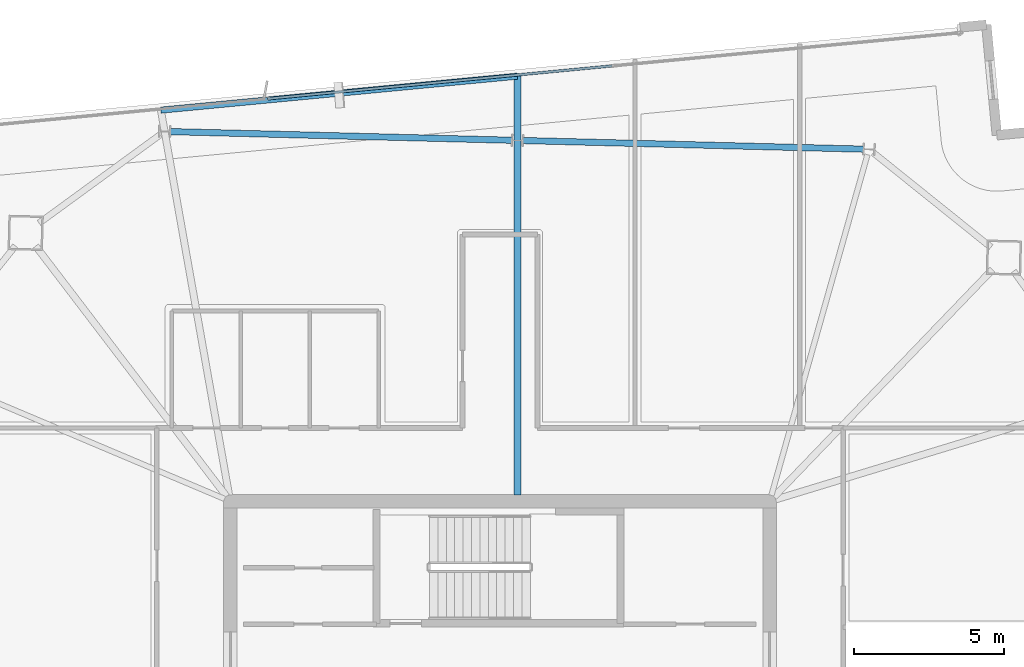
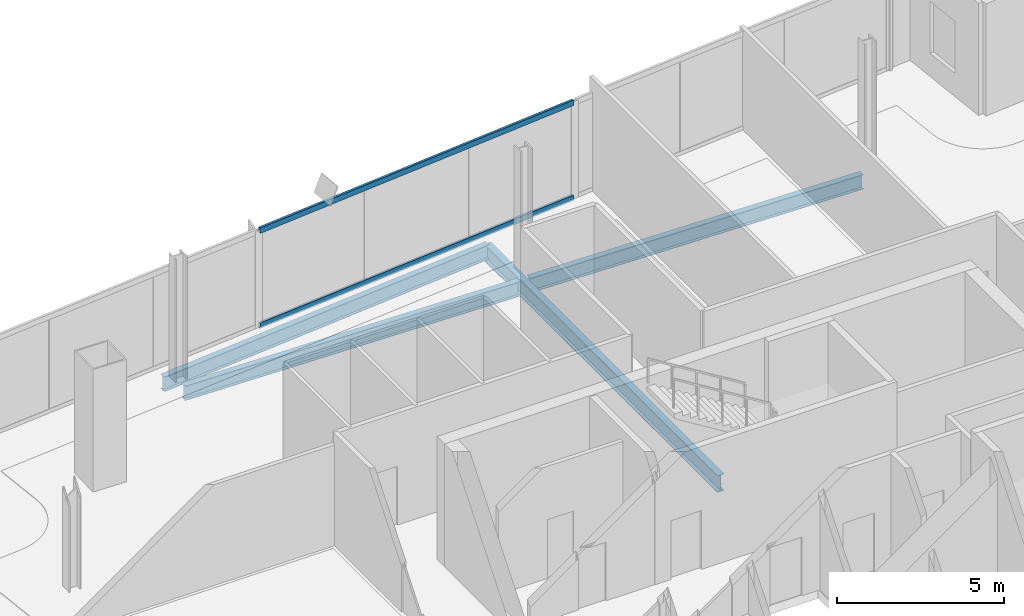
# One storey, part 13 of 24: 4 beams, 2 members, 1 element without a shape of its own.
"""IFC4 building model written with IfcOpenShell, lengths in metres."""

from ifc_helpers import new_model, si_unit, direction, frame, origin, origin_2d, place, context, subcontext, project, spatial, hollow_rectangle, i_section, extrude, material, material_profile, profile_set, type_object, element, aggregate, save


model = new_model("IFC4")

# Units and contexts
model_context = context("Model", 3, precision=1e-05, world=origin(), true_north=direction((0.0, 1.0)))
body_context = subcontext(model_context, "Body", "Model", "MODEL_VIEW")
ifc_project = project(units=[si_unit("LENGTHUNIT", "METRE"), si_unit("AREAUNIT", "SQUARE_METRE"), si_unit("VOLUMEUNIT", "CUBIC_METRE"), si_unit("PLANEANGLEUNIT", "RADIAN"), si_unit("MASSUNIT", "GRAM", prefix="KILO")], contexts=[model_context])

# Site, building, storey
site_placement = place(None, origin())
site = spatial("IfcSite", under=ifc_project, at=site_placement, CompositionType="ELEMENT")
building_placement = place(site_placement, origin())
building = spatial("IfcBuilding", under=site, at=building_placement, Name="Haldenkirk Collegiate Tower", CompositionType="ELEMENT")
storey_placement = place(building_placement, frame((0.0, 0.0, 347.699951171875)))
storey = spatial("IfcBuildingStorey", under=building, at=storey_placement, Name="L88", CompositionType="ELEMENT", Elevation=347.699951171875)

# Beams
ifc_material_1 = material(Name="Steel ASTM A992 Grade 50", Category="steel")
ifc_material_profile_1 = material_profile(ifc_material_1, i_section(OverallWidth=0.22998046875, OverallDepth=0.616943359375, WebThickness=0.01318359375, FlangeThickness=0.022216796875, at=origin_2d()), Name="W24X94")
ifc_profile_set_1 = profile_set([ifc_material_profile_1], Name="Steel ASTM A992 Grade 50")
beam_type_1 = type_object("IfcBeamType", Name="BM-GIRDER-W24X94", PredefinedType="BEAM", material=ifc_profile_set_1)
beam_1_placement = place(storey_placement, frame((36.582275390625, 48.185546875, -0.62841796875), z_axis=(0.0, -1.0, 0.0), x_axis=(1.0, 0.0, 0.0)))
element("IfcBeam", 1, at=beam_1_placement, inside=storey, type_object=beam_type_1, Name="L88 primary floor girder 09", PredefinedType="BEAM", context=body_context, shape_type="SweptSolid", body=[
    extrude(i_section(OverallWidth=0.22998046875, OverallDepth=0.616943359375, WebThickness=0.01318359375, FlangeThickness=0.022216796875, at=origin_2d()), origin(), (0.0, 0.0, 1.0), 13.98046875),
])
ifc_material_profile_2 = material_profile(ifc_material_1, i_section(OverallWidth=0.2099609375, OverallDepth=0.537109375, WebThickness=0.010986328125, FlangeThickness=0.017333984375, at=origin_2d()), Name="W21X68")
ifc_profile_set_2 = profile_set([ifc_material_profile_2], Name="Steel ASTM A992 Grade 50")
beam_type_2 = type_object("IfcBeamType", Name="BM-SPANDREL-W21X68", PredefinedType="SPANDREL", material=ifc_profile_set_2)
beam_2_placement = place(storey_placement, frame((48.123779296875, 45.74951171875, -0.58837890625), z_axis=(-0.999679864584, 0.025301548267, 0.0), x_axis=(-0.025301548267, -0.999679864584, 0.0)))
element("IfcBeam", 2, at=beam_2_placement, inside=storey, type_object=beam_type_2, Name="L88 perimeter spandrel beam 06", PredefinedType="SPANDREL", context=body_context, shape_type="SweptSolid", body=[
    extrude(i_section(OverallWidth=0.2099609375, OverallDepth=0.537109375, WebThickness=0.010986328125, FlangeThickness=0.017333984375, at=origin_2d()), origin(), (0.0, 0.0, 1.0), 11.357177734375),
])
beam_3_placement = place(storey_placement, frame((36.394287109375, 46.04638671875, -0.58837890625), z_axis=(-0.999680042221, 0.02529452876, 0.0), x_axis=(-0.02529452876, -0.999680042221, 0.0)))
element("IfcBeam", 3, at=beam_3_placement, inside=storey, type_object=beam_type_2, Name="L88 perimeter spandrel beam 07", PredefinedType="SPANDREL", context=body_context, shape_type="SweptSolid", body=[
    extrude(i_section(OverallWidth=0.2099609375, OverallDepth=0.537109375, WebThickness=0.010986328125, FlangeThickness=0.017333984375, at=origin_2d()), origin(), (0.0, 0.0, 1.0), 11.39892578125),
])
beam_4_placement = place(storey_placement, frame((36.582275390625, 48.185546875, -0.58837890625), z_axis=(-0.99548012705, -0.094970082918, 0.0), x_axis=(0.094970082918, -0.99548012705, 0.0)))
element("IfcBeam", 4, at=beam_4_placement, inside=storey, type_object=beam_type_2, Name="L88 outer facade edge beam 2", PredefinedType="SPANDREL", context=body_context, shape_type="SweptSolid", body=[
    extrude(i_section(OverallWidth=0.2099609375, OverallDepth=0.537109375, WebThickness=0.010986328125, FlangeThickness=0.017333984375, at=origin_2d()), origin(), (0.0, 0.0, 1.0), 11.951171875),
])

# Curtain wall, members
ifc_material_2 = material(Name="Anodised architectural bronze aluminium", Category="aluminium")
curtain_wall_type = type_object("IfcCurtainWallType", Name="CW-SYS1B-CONVEX-HI", PredefinedType="USERDEFINED", material=ifc_material_2)
curtain_wall_placement = place(storey_placement, origin())
curtain_wall = element("IfcCurtainWall", 5, at=curtain_wall_placement, inside=storey, type_object=curtain_wall_type, Name="L88 Upper tower high-wind convex bronze unitised curtain wall", ObjectType="UNITISED CURTAIN WALL", PredefinedType="USERDEFINED")
ifc_material_profile_3 = material_profile(ifc_material_2, hollow_rectangle(XDim=0.0849609375, YDim=0.199951171875, WallThickness=0.0048828125, at=origin_2d()), Name="CW-TRN-1B")
ifc_profile_set_3 = profile_set([ifc_material_profile_3], Name="Anodised architectural bronze aluminium")
member_type = type_object("IfcMemberType", Name="CW-TRN-1B", PredefinedType="USERDEFINED", material=ifc_profile_set_3)
member_1_placement = place(storey_placement, frame((28.2470703125, 47.430419921875, 0.04248046875), z_axis=(0.995478150814, 0.094990795621, 0.0), x_axis=(-0.094990795621, 0.995478150814, 0.0)))
member_1 = element("IfcMember", 6, at=member_1_placement, type_object=member_type, Name="CW-1B transom 2.1", ObjectType="TRANSOM", PredefinedType="USERDEFINED", context=body_context, shape_type="SweptSolid", body=[
    extrude(hollow_rectangle(XDim=0.0849609375, YDim=0.199951171875, WallThickness=0.0048828125, at=origin_2d()), origin(), (0.0, 0.0, 1.0), 11.5400390625),
])
member_2_placement = place(storey_placement, frame((28.2470703125, 47.430419921875, 3.515625), z_axis=(0.995478150814, 0.094990795621, 0.0), x_axis=(-0.094990795621, 0.995478150814, 0.0)))
member_2 = element("IfcMember", 7, at=member_2_placement, type_object=member_type, Name="CW-1B transom 2.2", ObjectType="TRANSOM", PredefinedType="USERDEFINED", context=body_context, shape_type="SweptSolid", body=[
    extrude(hollow_rectangle(XDim=0.0849609375, YDim=0.199951171875, WallThickness=0.0048828125, at=origin_2d()), origin(), (0.0, 0.0, 1.0), 11.5400390625),
])
aggregate(curtain_wall, [member_1, member_2])

save(model, "model.ifc")
